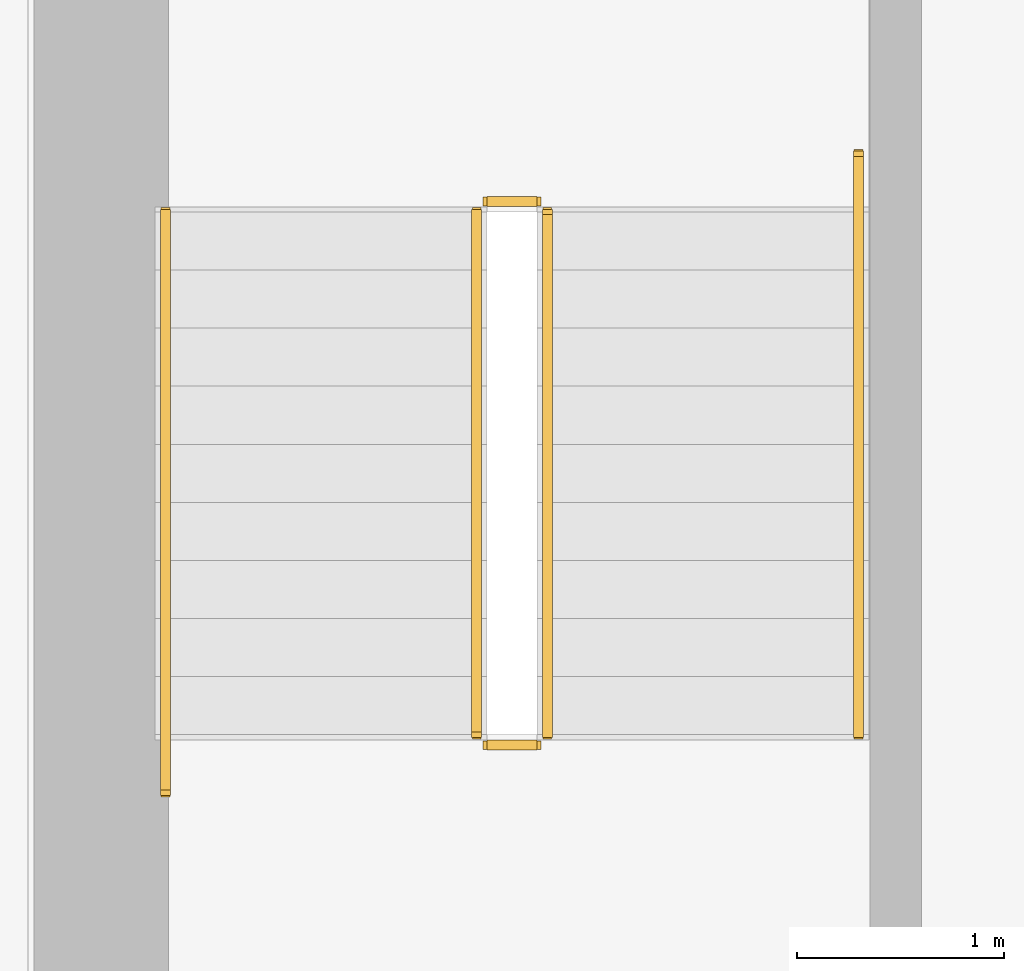
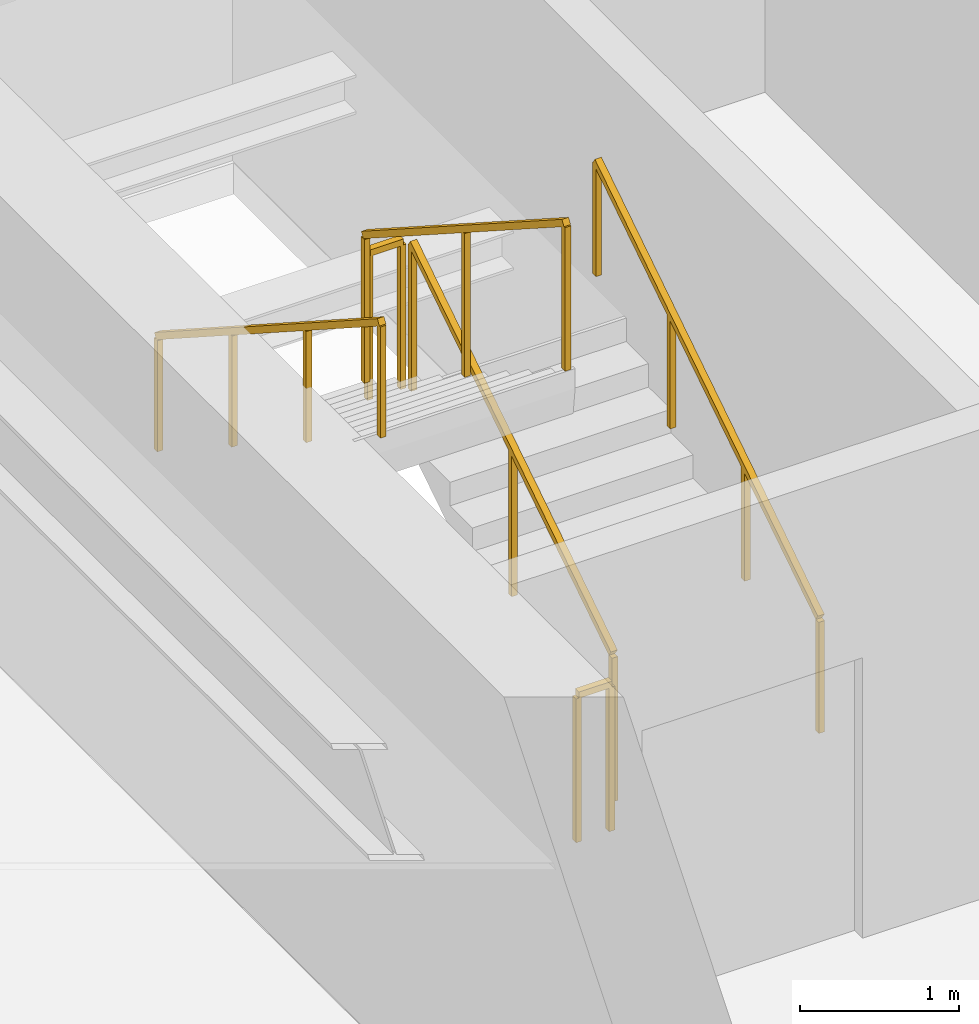
# One storey, part 34 of 37: 6 railings.
"""IFC4 building model written with IfcOpenShell, lengths in metres."""

from ifc_helpers import new_model, si_unit, direction, frame, origin, origin_2d, place, context, subcontext, project, spatial, rectangle, extrude, material, type_object, element, save


model = new_model("IFC4")

# Units and contexts
model_context = context("Model", 3, precision=1e-05, world=origin(), true_north=direction((0.0, 1.0)))
body_context = subcontext(model_context, "Body", "Model", "MODEL_VIEW")
ifc_project = project(units=[si_unit("LENGTHUNIT", "METRE"), si_unit("AREAUNIT", "SQUARE_METRE"), si_unit("VOLUMEUNIT", "CUBIC_METRE"), si_unit("PLANEANGLEUNIT", "RADIAN"), si_unit("MASSUNIT", "GRAM", prefix="KILO")], contexts=[model_context])

# Site, building, storey
site_placement = place(None, origin())
site = spatial("IfcSite", under=ifc_project, at=site_placement, CompositionType="ELEMENT")
building_placement = place(site_placement, origin())
building = spatial("IfcBuilding", under=site, at=building_placement, Name="Sumidabori Civic Tower", CompositionType="ELEMENT")
storey_placement = place(building_placement, frame((0.0, 0.0, 110.0)))
storey = spatial("IfcBuildingStorey", under=building, at=storey_placement, Name="L28", CompositionType="ELEMENT", Elevation=110.0)

# Railings
ifc_material_1 = material(Name="Stainless Steel Hairline Finish", Category="steel")
railing_type_1 = type_object("IfcRailingType", Name="RL-HANDRAIL", PredefinedType="HANDRAIL", material=ifc_material_1)
railing_1_placement = place(storey_placement, frame((-11.949951171875, 16.0, 0.179931640625)))
element("IfcRailing", 1, at=railing_1_placement, inside=storey, type_object=railing_type_1, Name="L28 ST-1 stair handrail 1", PredefinedType="HANDRAIL", context=body_context, shape_type="SweptSolid", body=[
    extrude(rectangle(XDim=0.048095703125, YDim=0.048095703125, at=origin_2d()), frame((0.0, 0.0, 0.8759765625), z_axis=(0.0, 0.84064222762, 0.54159084662), x_axis=(-1.0, 0.0, 0.0)), (0.0, 0.0, 1.0), 3.330810546875),
    extrude(rectangle(XDim=0.0419921875, YDim=0.0419921875, at=origin_2d()), origin(), (0.0, 0.0, 1.0), 0.851806640625),
    extrude(rectangle(XDim=0.0419921875, YDim=0.0419921875, at=origin_2d()), frame((0.0, 0.933349609375, 0.601318359375)), (0.0, 0.0, 1.0), 0.851806640625),
    extrude(rectangle(XDim=0.0419921875, YDim=0.0419921875, at=origin_2d()), frame((0.0, 1.86669921875, 1.20263671875)), (0.0, 0.0, 1.0), 0.851806640625),
    extrude(rectangle(XDim=0.0419921875, YDim=0.0419921875, at=origin_2d()), frame((0.0, 2.800048828125, 1.803955078125)), (0.0, 0.0, 1.0), 0.851806640625),
])
railing_2_placement = place(storey_placement, frame((-15.2900390625, 18.52001953125, 1.97998046875)))
element("IfcRailing", 2, at=railing_2_placement, inside=storey, type_object=railing_type_1, Name="L28 ST-1 stair handrail 2", PredefinedType="HANDRAIL", context=body_context, shape_type="SweptSolid", body=[
    extrude(rectangle(XDim=0.048095703125, YDim=0.048095703125, at=origin_2d()), frame((0.0, 0.0, 0.8759765625), z_axis=(0.0, -0.840675598268, 0.541539046124), x_axis=(1.0, 0.0, 0.0)), (0.0, 0.0, 1.0), 3.330810546875),
    extrude(rectangle(XDim=0.0419921875, YDim=0.0419921875, at=origin_2d()), origin(), (0.0, 0.0, 1.0), 0.851806640625),
    extrude(rectangle(XDim=0.0419921875, YDim=0.0419921875, at=origin_2d()), frame((0.0, -0.933349609375, 0.601318359375)), (0.0, 0.0, 1.0), 0.851806640625),
    extrude(rectangle(XDim=0.0419921875, YDim=0.0419921875, at=origin_2d()), frame((0.0, -1.86669921875, 1.202392578125)), (0.0, 0.0, 1.0), 0.851806640625),
    extrude(rectangle(XDim=0.0419921875, YDim=0.0419921875, at=origin_2d()), frame((0.0, -2.800048828125, 1.8037109375)), (0.0, 0.0, 1.0), 0.851806640625),
])
ifc_material_2 = material(Name="Steel SN490", Category="steel")
railing_type_2 = type_object("IfcRailingType", Name="RL-STAIR-GUARD", PredefinedType="GUARDRAIL", material=ifc_material_2)
railing_3_placement = place(storey_placement, frame((-13.449951171875, 16.0, 0.179931640625)))
element("IfcRailing", 3, at=railing_3_placement, inside=storey, type_object=railing_type_2, Name="L28 ST-1 stair guard 1", PredefinedType="GUARDRAIL", context=body_context, shape_type="SweptSolid", body=[
    extrude(rectangle(XDim=0.048095703125, YDim=0.048095703125, at=origin_2d()), frame((0.0, 0.0, 1.1259765625), z_axis=(0.0, 0.841162588446, 0.540782303519), x_axis=(-1.0, 0.0, 0.0)), (0.0, 0.0, 1.0), 2.995849609375),
    extrude(rectangle(XDim=0.0419921875, YDim=0.0419921875, at=origin_2d()), origin(), (0.0, 0.0, 1.0), 1.101806640625),
    extrude(rectangle(XDim=0.0419921875, YDim=0.0419921875, at=origin_2d()), frame((0.0, 1.260009765625, 0.81005859375)), (0.0, 0.0, 1.0), 1.101806640625),
    extrude(rectangle(XDim=0.0419921875, YDim=0.0419921875, at=origin_2d()), frame((0.0, 2.52001953125, 1.6201171875)), (0.0, 0.0, 1.0), 1.101806640625),
])
railing_4_placement = place(storey_placement, frame((-13.5, 18.570068359375, 1.800048828125)))
element("IfcRailing", 4, at=railing_4_placement, inside=storey, type_object=railing_type_2, Name="L28 ST-1 stair guard 2", PredefinedType="GUARDRAIL", context=body_context, shape_type="SweptSolid", body=[
    extrude(rectangle(XDim=0.048095703125, YDim=0.048095703125, at=origin_2d()), frame((0.0, 0.0, 1.1259765625), z_axis=(-1.0, 0.0, 0.0), x_axis=(0.0, -1.0, 0.0)), (0.0, 0.0, 1.0), 0.239990234375),
    extrude(rectangle(XDim=0.0419921875, YDim=0.0419921875, at=origin_2d()), origin(), (0.0, 0.0, 1.0), 1.101806640625),
    extrude(rectangle(XDim=0.0419921875, YDim=0.0419921875, at=origin_2d()), frame((-0.239990234375, 0.0, 0.0)), (0.0, 0.0, 1.0), 1.101806640625),
])
railing_5_placement = place(storey_placement, frame((-13.7900390625, 18.52001953125, 1.97998046875)))
element("IfcRailing", 5, at=railing_5_placement, inside=storey, type_object=railing_type_2, Name="L28 ST-1 stair guard 3", PredefinedType="GUARDRAIL", context=body_context, shape_type="SweptSolid", body=[
    extrude(rectangle(XDim=0.048095703125, YDim=0.048095703125, at=origin_2d()), frame((0.0, 0.0, 1.1259765625), z_axis=(0.0, -0.841162588446, 0.540782303519), x_axis=(1.0, 0.0, 0.0)), (0.0, 0.0, 1.0), 2.995849609375),
    extrude(rectangle(XDim=0.0419921875, YDim=0.0419921875, at=origin_2d()), origin(), (0.0, 0.0, 1.0), 1.101806640625),
    extrude(rectangle(XDim=0.0419921875, YDim=0.0419921875, at=origin_2d()), frame((0.0, -1.260009765625, 0.81005859375)), (0.0, 0.0, 1.0), 1.101806640625),
    extrude(rectangle(XDim=0.0419921875, YDim=0.0419921875, at=origin_2d()), frame((0.0, -2.52001953125, 1.6201171875)), (0.0, 0.0, 1.0), 1.101806640625),
])
railing_6_placement = place(storey_placement, frame((-13.5, 15.949951171875, 0.0)))
element("IfcRailing", 6, at=railing_6_placement, inside=storey, type_object=railing_type_2, Name="L28 ST-1 stair guard 4", PredefinedType="GUARDRAIL", context=body_context, shape_type="SweptSolid", body=[
    extrude(rectangle(XDim=0.048095703125, YDim=0.048095703125, at=origin_2d()), frame((0.0, 0.0, 1.1259765625), z_axis=(-1.0, 0.0, 0.0), x_axis=(0.0, -1.0, 0.0)), (0.0, 0.0, 1.0), 0.239990234375),
    extrude(rectangle(XDim=0.0419921875, YDim=0.0419921875, at=origin_2d()), origin(), (0.0, 0.0, 1.0), 1.101806640625),
    extrude(rectangle(XDim=0.0419921875, YDim=0.0419921875, at=origin_2d()), frame((-0.239990234375, 0.0, 0.0)), (0.0, 0.0, 1.0), 1.101806640625),
])

save(model, "model.ifc")
